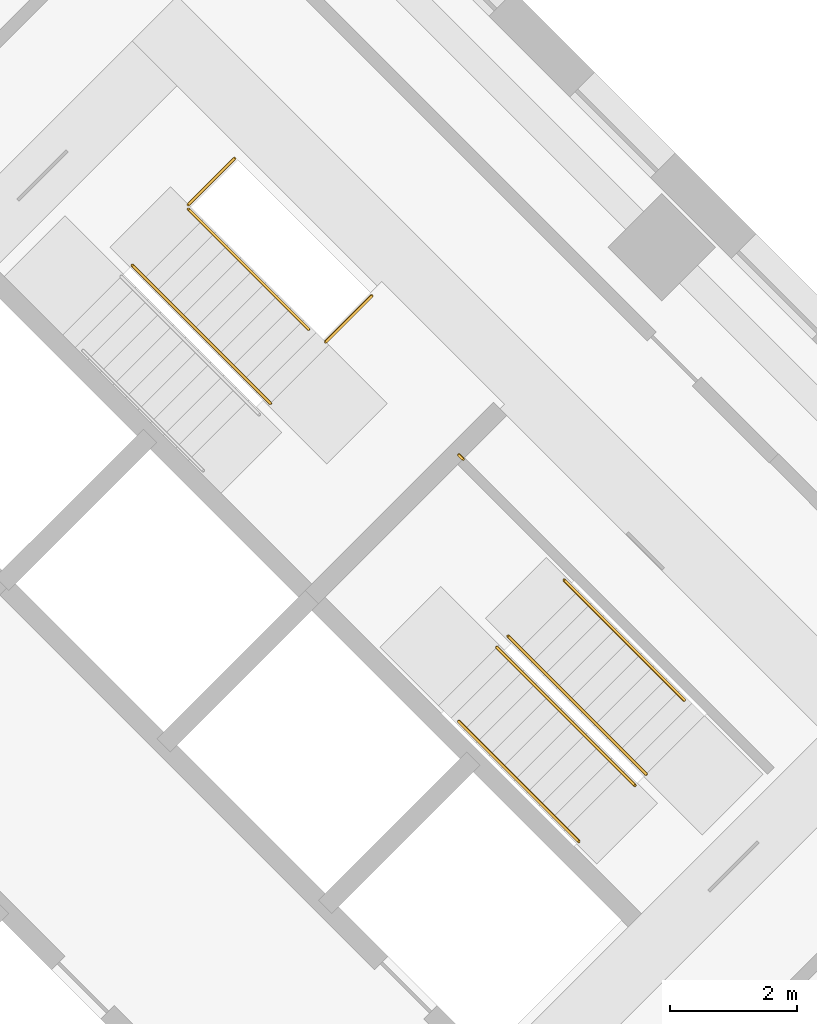
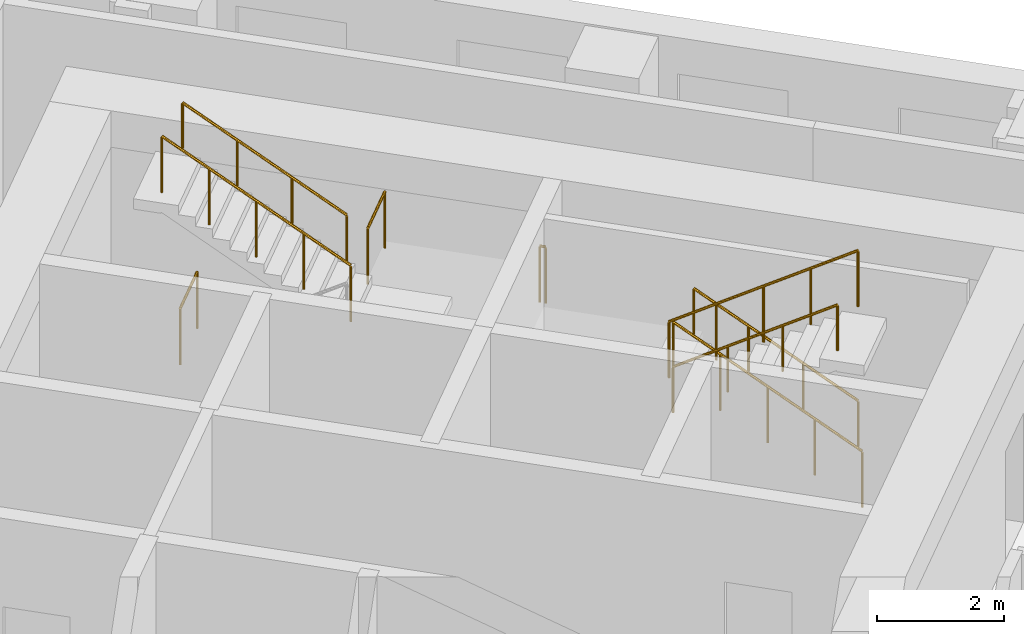
# One storey, part 14 of 14: 9 railings.
"""IFC4 building model written with IfcOpenShell, lengths in metres."""

from ifc_helpers import new_model, si_unit, direction, frame, origin, origin_2d, place, context, subcontext, project, spatial, circle, extrude, material, type_object, element, save


model = new_model("IFC4")

# Units and contexts
model_context = context("Model", 3, precision=1e-05, world=origin(), true_north=direction((0.0, 1.0)))
body_context = subcontext(model_context, "Body", "Model", "MODEL_VIEW")
ifc_project = project(units=[si_unit("LENGTHUNIT", "METRE"), si_unit("AREAUNIT", "SQUARE_METRE"), si_unit("VOLUMEUNIT", "CUBIC_METRE"), si_unit("PLANEANGLEUNIT", "RADIAN"), si_unit("MASSUNIT", "GRAM", prefix="KILO")], contexts=[model_context])

# Site, building, storey
site_placement = place(None, origin())
site = spatial("IfcSite", under=ifc_project, at=site_placement, CompositionType="ELEMENT")
building_placement = place(site_placement, origin())
building = spatial("IfcBuilding", under=site, at=building_placement, Name="Windrow Commons", CompositionType="ELEMENT")
storey_placement = place(building_placement, frame((0.0, 0.0, 18.6)))
storey = spatial("IfcBuildingStorey", under=building, at=storey_placement, Name="L04", CompositionType="ELEMENT", Elevation=18.6)

# Railings
ifc_material_1 = material(Name="Steel S355", Category="steel")
railing_type_1 = type_object("IfcRailingType", Name="Core stair guard 1100", PredefinedType="GUARDRAIL", material=ifc_material_1)
railing_1_placement = place(storey_placement, frame((88.3075, 54.2658, 2.275)))
element("IfcRailing", 1, at=railing_1_placement, inside=storey, type_object=railing_type_1, Name="L04 ST-B1 stair guard 2", PredefinedType="GUARDRAIL", context=body_context, shape_type="SweptSolid", body=[
    extrude(circle(Radius=0.024, at=origin_2d()), frame((0.0, 0.0, 1.076), z_axis=(-0.5996262107, 0.5996262107, 0.5299969951), x_axis=(-0.7071067812, -0.7071067812, 0.0)), (0.0, 0.0, 1.0), 3.6321),
    extrude(circle(Radius=0.021, at=origin_2d()), origin(), (0.0, 0.0, 1.0), 1.052),
    extrude(circle(Radius=0.021, at=origin_2d()), frame((-0.5445, 0.5445, 0.4813)), (0.0, 0.0, 1.0), 1.052),
    extrude(circle(Radius=0.021, at=origin_2d()), frame((-1.089, 1.089, 0.9625)), (0.0, 0.0, 1.0), 1.052),
    extrude(circle(Radius=0.021, at=origin_2d()), frame((-1.6334, 1.6334, 1.4438)), (0.0, 0.0, 1.0), 1.052),
    extrude(circle(Radius=0.021, at=origin_2d()), frame((-2.1779, 2.1779, 1.925)), (0.0, 0.0, 1.0), 1.052),
])
railing_2_placement = place(storey_placement, frame((87.0135, 57.3982, 0.0)))
element("IfcRailing", 2, at=railing_2_placement, inside=storey, type_object=railing_type_1, Name="L04 ST-B1 stair guard 3", PredefinedType="GUARDRAIL", context=body_context, shape_type="SweptSolid", body=[
    extrude(circle(Radius=0.024, at=origin_2d()), frame((0.0, 0.0, 1.076), z_axis=(0.7070582378, 0.7071553212, 0.0), x_axis=(-0.7071553212, 0.7070582378, 0.0)), (0.0, 0.0, 1.0), 1.03),
    extrude(circle(Radius=0.021, at=origin_2d()), origin(), (0.0, 0.0, 1.0), 1.052),
    extrude(circle(Radius=0.021, at=origin_2d()), frame((0.7283, 0.7284, 0.0)), (0.0, 0.0, 1.0), 1.052),
])
railing_3_placement = place(storey_placement, frame((89.1773, 55.2345, 2.1)))
element("IfcRailing", 3, at=railing_3_placement, inside=storey, type_object=railing_type_1, Name="L04 ST-B1 stair guard 4", PredefinedType="GUARDRAIL", context=body_context, shape_type="SweptSolid", body=[
    extrude(circle(Radius=0.024, at=origin_2d()), frame((0.0, 0.0, 1.076), z_axis=(0.7071067812, 0.7071067812, 0.0), x_axis=(-0.7071067812, 0.7071067812, 0.0)), (0.0, 0.0, 1.0), 1.03),
    extrude(circle(Radius=0.021, at=origin_2d()), origin(), (0.0, 0.0, 1.0), 1.052),
    extrude(circle(Radius=0.021, at=origin_2d()), frame((0.7283, 0.7283, 0.0)), (0.0, 0.0, 1.0), 1.052),
])
railing_4_placement = place(storey_placement, frame((94.2296, 48.4215, 0.175)))
element("IfcRailing", 4, at=railing_4_placement, inside=storey, type_object=railing_type_1, Name="L04 ST-B2 stair guard 1", PredefinedType="GUARDRAIL", context=body_context, shape_type="SweptSolid", body=[
    extrude(circle(Radius=0.024, at=origin_2d()), frame((0.0, 0.0, 1.076), z_axis=(-0.5996262107, 0.5996262107, 0.5299969951), x_axis=(-0.7071067812, -0.7071067812, 0.0)), (0.0, 0.0, 1.0), 3.6321),
    extrude(circle(Radius=0.021, at=origin_2d()), origin(), (0.0, 0.0, 1.0), 1.052),
    extrude(circle(Radius=0.021, at=origin_2d()), frame((-0.5445, 0.5445, 0.4813)), (0.0, 0.0, 1.0), 1.052),
    extrude(circle(Radius=0.021, at=origin_2d()), frame((-1.089, 1.089, 0.9625)), (0.0, 0.0, 1.0), 1.052),
    extrude(circle(Radius=0.021, at=origin_2d()), frame((-1.6334, 1.6334, 1.4438)), (0.0, 0.0, 1.0), 1.052),
    extrude(circle(Radius=0.021, at=origin_2d()), frame((-2.1779, 2.1779, 1.925)), (0.0, 0.0, 1.0), 1.052),
])
railing_5_placement = place(storey_placement, frame((91.8749, 50.4226, 2.275)))
element("IfcRailing", 5, at=railing_5_placement, inside=storey, type_object=railing_type_1, Name="L04 ST-B2 stair guard 2", PredefinedType="GUARDRAIL", context=body_context, shape_type="SweptSolid", body=[
    extrude(circle(Radius=0.024, at=origin_2d()), frame((0.0, 0.0, 1.076), z_axis=(0.5996262107, -0.5996262107, 0.5299969951), x_axis=(0.7071067812, 0.7071067812, 0.0)), (0.0, 0.0, 1.0), 3.6321),
    extrude(circle(Radius=0.021, at=origin_2d()), origin(), (0.0, 0.0, 1.0), 1.052),
    extrude(circle(Radius=0.021, at=origin_2d()), frame((0.5445, -0.5445, 0.4813)), (0.0, 0.0, 1.0), 1.052),
    extrude(circle(Radius=0.021, at=origin_2d()), frame((1.089, -1.089, 0.9625)), (0.0, 0.0, 1.0), 1.052),
    extrude(circle(Radius=0.021, at=origin_2d()), frame((1.6334, -1.6334, 1.4438)), (0.0, 0.0, 1.0), 1.052),
    extrude(circle(Radius=0.021, at=origin_2d()), frame((2.1779, -2.1779, 1.925)), (0.0, 0.0, 1.0), 1.052),
])
railing_6_placement = place(storey_placement, frame((91.3446, 53.3854, 2.1)))
element("IfcRailing", 6, at=railing_6_placement, inside=storey, type_object=railing_type_1, Name="L04 ST-B2 stair guard 3", PredefinedType="GUARDRAIL", context=body_context, shape_type="SweptSolid", body=[
    extrude(circle(Radius=0.024, at=origin_2d()), frame((0.0, 0.0, 1.076), z_axis=(-0.7076063266, 0.7066068826, 0.0), x_axis=(-0.7066068826, -0.7076063266, 0.0)), (0.0, 0.0, 1.0), 0.1001),
    extrude(circle(Radius=0.021, at=origin_2d()), origin(), (0.0, 0.0, 1.0), 1.052),
    extrude(circle(Radius=0.021, at=origin_2d()), frame((-0.0708, 0.0707, 0.0)), (0.0, 0.0, 1.0), 1.052),
])
ifc_material_2 = material(Name="Steel S355", Category="steel")
railing_type_2 = type_object("IfcRailingType", Name="Core stair handrail 900", PredefinedType="HANDRAIL", material=ifc_material_2)
for number, where, name in (
    (7, (88.9086, 55.4325, 2.525), "L04 ST-B1 stair handrail 2"),
    (8, (94.8306, 49.5883, 0.425), "L04 ST-B2 stair handrail 1"),
):
    element("IfcRailing", number, at=place(storey_placement, frame(where)), inside=storey, type_object=railing_type_2, Name=name, PredefinedType="HANDRAIL", context=body_context, shape_type="SweptSolid", body=[
        extrude(circle(Radius=0.024, at=origin_2d()), frame((0.0, 0.0, 0.876), z_axis=(-0.599641512, 0.5996098703, 0.5299981703), x_axis=(-0.7070881243, -0.7071254376, 0.0)), (0.0, 0.0, 1.0), 3.1604),
        extrude(circle(Radius=0.021, at=origin_2d()), origin(), (0.0, 0.0, 1.0), 0.852),
        extrude(circle(Radius=0.021, at=origin_2d()), frame((-0.6317, 0.6317, 0.5583)), (0.0, 0.0, 1.0), 0.852),
        extrude(circle(Radius=0.021, at=origin_2d()), frame((-1.2634, 1.2633, 1.1167)), (0.0, 0.0, 1.0), 0.852),
        extrude(circle(Radius=0.021, at=origin_2d()), frame((-1.8951, 1.895, 1.675)), (0.0, 0.0, 1.0), 0.852),
    ])
railing_7_placement = place(storey_placement, frame((91.2738, 49.2559, 2.525)))
element("IfcRailing", 9, at=railing_7_placement, inside=storey, type_object=railing_type_2, Name="L04 ST-B2 stair handrail 2", PredefinedType="HANDRAIL", context=body_context, shape_type="SweptSolid", body=[
    extrude(circle(Radius=0.024, at=origin_2d()), frame((0.0, 0.0, 0.876), z_axis=(0.599641512, -0.5996098703, 0.5299981703), x_axis=(0.7070881243, 0.7071254376, 0.0)), (0.0, 0.0, 1.0), 3.1604),
    extrude(circle(Radius=0.021, at=origin_2d()), origin(), (0.0, 0.0, 1.0), 0.852),
    extrude(circle(Radius=0.021, at=origin_2d()), frame((0.6317, -0.6317, 0.5583)), (0.0, 0.0, 1.0), 0.852),
    extrude(circle(Radius=0.021, at=origin_2d()), frame((1.2634, -1.2633, 1.1167)), (0.0, 0.0, 1.0), 0.852),
    extrude(circle(Radius=0.021, at=origin_2d()), frame((1.8951, -1.895, 1.675)), (0.0, 0.0, 1.0), 0.852),
])

save(model, "model.ifc")
